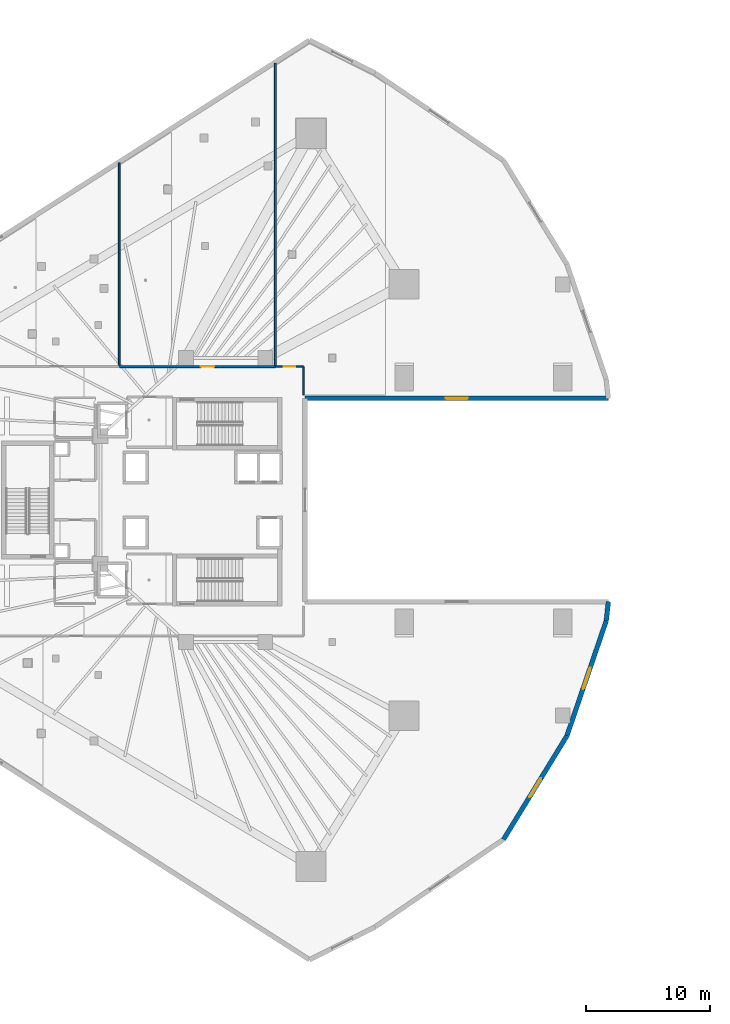
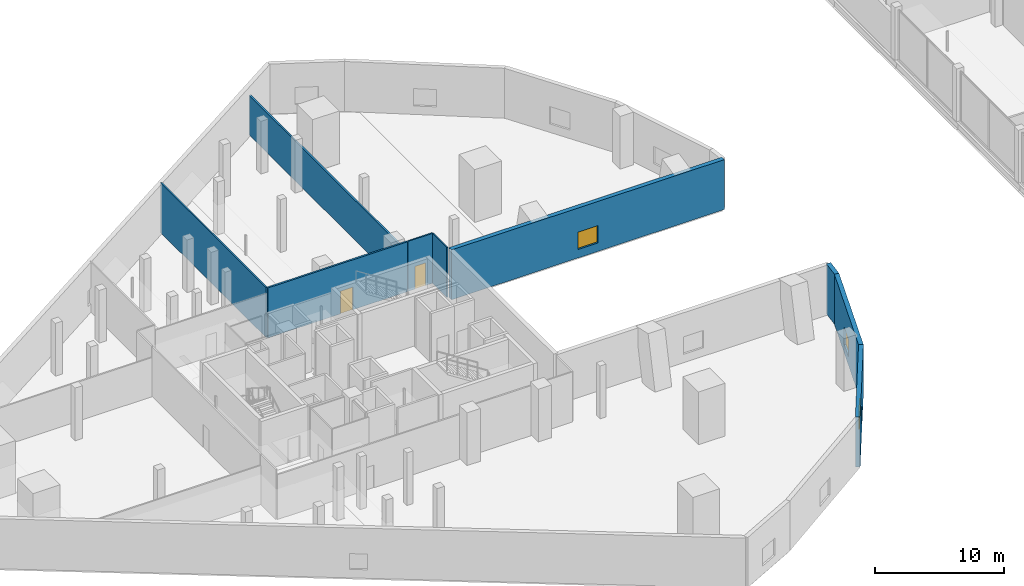
# One storey, part 29 of 46: 9 walls, 3 windows, 2 doors, 5 openings.
"""IFC4 building model written with IfcOpenShell, lengths in metres."""

from ifc_helpers import new_model, si_unit, direction, frame, frame_2d, origin, place, context, subcontext, project, spatial, rectangle, extrude, material, layer, layer_set, type_object, element, fill, save


model = new_model("IFC4")

# Units and contexts
model_context = context("Model", 3, precision=1e-05, world=origin(), true_north=direction((0.0, 1.0)))
body_context = subcontext(model_context, "Body", "Model", "MODEL_VIEW")
ifc_project = project(units=[si_unit("LENGTHUNIT", "METRE"), si_unit("AREAUNIT", "SQUARE_METRE"), si_unit("VOLUMEUNIT", "CUBIC_METRE"), si_unit("PLANEANGLEUNIT", "RADIAN"), si_unit("MASSUNIT", "GRAM", prefix="KILO")], contexts=[model_context])

# Site, building, storey
site_placement = place(None, origin())
site = spatial("IfcSite", under=ifc_project, at=site_placement, CompositionType="ELEMENT")
building_placement = place(site_placement, origin())
building = spatial("IfcBuilding", under=site, at=building_placement, Name="Qorvath Tower", CompositionType="ELEMENT")
storey_placement = place(building_placement, frame((0.0, 0.0, 17.0)))
storey = spatial("IfcBuildingStorey", under=building, at=storey_placement, Name="L03", CompositionType="ELEMENT", Elevation=17.0)

# Wall, opening, door
ifc_material_1 = material(Name="Double acoustic gypsum board on steel studs", Category="steel")
ifc_layer_1 = layer(ifc_material_1, 0.159912109375)
ifc_layer_set_1 = layer_set([ifc_layer_1], Name="IW-ACOUSTIC-160")
wall_type_1 = type_object("IfcWallType", Name="IW-ACOUSTIC-160", PredefinedType="PARTITIONING", material=ifc_layer_set_1)
wall_1_placement = place(storey_placement, frame((-28.948486328125, 10.758056640625, 0.0), z_axis=(0.0, 0.0, 1.0), x_axis=(1.0, 0.0, 0.0)))
wall_1 = element("IfcWall", 1, at=wall_1_placement, inside=storey, type_object=wall_type_1, Name="Interior Partition IW-T1-L03-025", PredefinedType="PARTITIONING", context=body_context, shape_type="SweptSolid", body=[
    extrude(rectangle(XDim=12.53515625, YDim=0.159912109375, at=frame_2d((6.267578125, 0.0))), origin(), (0.0, 0.0, 1.0), 4.739990234375),
])
opening_1_placement = place(wall_1_placement, frame((6.534423828125, 0.0, 0.0)))
opening_1 = element("IfcOpeningElement", 2, at=opening_1_placement, cuts=wall_1, Name="Opening D-T1-L03-07", PredefinedType="OPENING", context=body_context, shape_type="SweptSolid", body=[
    extrude(rectangle(XDim=1.10009765625, YDim=2.14990234375, at=frame_2d((0.550048828125, 1.074951171875))), frame((0.0, 0.08984375, 0.0), z_axis=(0.0, -1.0, 0.0), x_axis=(1.0, 0.0, 0.0)), (0.0, 0.0, 1.0), 0.179931640625),
])
ifc_material_2 = material(Name="Anodised aluminium acoustic framed glass", Category="aluminium")
door_type_1 = type_object("IfcDoorType", Name="D-03", OperationType="NOTDEFINED", PredefinedType="DOOR", material=ifc_material_2)
door_1_placement = place(opening_1_placement, origin())
door_1 = element("IfcDoor", 3, at=door_1_placement, inside=storey, type_object=door_type_1, Name="L03-03 Client Services Office Door D-T1-L03-07", OperationType="SINGLE_SWING_RIGHT", OverallHeight=2.14990234375, OverallWidth=1.10009765625, PredefinedType="DOOR", context=body_context, shape_type="SweptSolid", body=[
    extrude(rectangle(XDim=1.10009765625, YDim=2.14990234375, at=frame_2d((0.550048828125, 1.074951171875))), frame((0.0, 0.02490234375, 0.0), z_axis=(0.0, -1.0, 0.0), x_axis=(1.0, 0.0, 0.0)), (0.0, 0.0, 1.0), 0.050048828125),
])
fill(opening_1, door_1)

# Walls
wall_2_placement = place(storey_placement, frame((-16.388427734375, 10.783203125, 0.0), z_axis=(0.0, 0.0, 1.0), x_axis=(0.0, 1.0, 0.0)))
element("IfcWall", 4, at=wall_2_placement, inside=storey, type_object=wall_type_1, Name="Interior Partition IW-T1-L03-026", PredefinedType="PARTITIONING", context=body_context, shape_type="SweptSolid", body=[
    extrude(rectangle(XDim=24.471435546875, YDim=0.159912109375, at=frame_2d((12.23583984375, 0.0))), origin(), (0.0, 0.0, 1.0), 3.77685546875),
])
ifc_material_3 = material(Name="Gypsum board on metal studs with mineral wool", Category="gypsum")
ifc_layer_2 = layer(ifc_material_3, 0.125)
ifc_layer_set_2 = layer_set([ifc_layer_2], Name="IW-PART-125")
wall_type_2 = type_object("IfcWallType", Name="IW-PART-125", PredefinedType="PARTITIONING", material=ifc_layer_set_2)
wall_3_placement = place(storey_placement, frame((-28.9814453125, 10.783203125, 0.0), z_axis=(0.0, 0.0, 1.0), x_axis=(0.0, 1.0, 0.0)))
element("IfcWall", 5, at=wall_3_placement, inside=storey, type_object=wall_type_2, Name="Interior Partition IW-T1-L03-024", PredefinedType="PARTITIONING", context=body_context, shape_type="SweptSolid", body=[
    extrude(rectangle(XDim=16.4228515625, YDim=0.125, at=frame_2d((8.21142578125, 0.0))), origin(), (0.0, 0.0, 1.0), 4.739990234375),
])

# Wall, opening, door
wall_4_placement = place(storey_placement, frame((-16.35546875, 10.758056640625, 0.0), z_axis=(0.0, 0.0, 1.0), x_axis=(1.0, 0.0, 0.0)))
wall_4 = element("IfcWall", 6, at=wall_4_placement, inside=storey, type_object=wall_type_2, Name="Interior Partition IW-T1-L03-027", PredefinedType="PARTITIONING", context=body_context, shape_type="SweptSolid", body=[
    extrude(rectangle(XDim=2.21826171875, YDim=0.125, at=frame_2d((1.109130859375, 0.0))), origin(), (0.0, 0.0, 1.0), 4.739990234375),
])
opening_2_placement = place(wall_4_placement, frame((0.634033203125, 0.0, 0.0)))
opening_2 = element("IfcOpeningElement", 7, at=opening_2_placement, cuts=wall_4, Name="Opening D-T1-L03-08", PredefinedType="OPENING", context=body_context, shape_type="SweptSolid", body=[
    extrude(rectangle(XDim=0.949951171875, YDim=2.14990234375, at=frame_2d((0.47509765625, 1.074951171875))), frame((0.0, 0.072509765625, 0.0), z_axis=(0.0, -1.0, 0.0), x_axis=(1.0, 0.0, 0.0)), (0.0, 0.0, 1.0), 0.14501953125),
])
ifc_material_4 = material(Name="Solid-core American white oak veneer", Category="wood")
door_type_2 = type_object("IfcDoorType", Name="D-01", OperationType="NOTDEFINED", PredefinedType="DOOR", material=ifc_material_4)
door_2_placement = place(opening_2_placement, origin())
door_2 = element("IfcDoor", 8, at=door_2_placement, inside=storey, type_object=door_type_2, Name="L03-04 Project Collaboration Workspace Door D-T1-L03-08", OperationType="SINGLE_SWING_LEFT", OverallHeight=2.14990234375, OverallWidth=0.949951171875, PredefinedType="DOOR", context=body_context, shape_type="SweptSolid", body=[
    extrude(rectangle(XDim=0.949951171875, YDim=2.14990234375, at=frame_2d((0.47509765625, 1.074951171875))), frame((0.0, 0.02490234375, 0.0), z_axis=(0.0, -1.0, 0.0), x_axis=(1.0, 0.0, 0.0)), (0.0, 0.0, 1.0), 0.050048828125),
])
fill(opening_2, door_2)

# Wall
wall_5_placement = place(storey_placement, frame((-14.112060546875, 10.733154296875, 0.0), z_axis=(0.0, 0.0, 1.0), x_axis=(0.0, -1.0, 0.0)))
element("IfcWall", 9, at=wall_5_placement, inside=storey, type_object=wall_type_2, Name="Interior Partition IW-T1-L03-028", PredefinedType="PARTITIONING", context=body_context, shape_type="SweptSolid", body=[
    extrude(rectangle(XDim=2.259033203125, YDim=0.125, at=frame_2d((1.12939453125, 0.0))), origin(), (0.0, 0.0, 1.0), 4.739990234375),
])

# Wall, opening, window
ifc_material_5 = material(Name="Precast concrete C50/60", Category="concrete")
ifc_layer_3 = layer(ifc_material_5, 0.3798828125)
ifc_layer_set_3 = layer_set([ifc_layer_3], Name="WL-EW-POD-380")
wall_type_3 = type_object("IfcWallType", Name="WL-EW-POD-380", PredefinedType="SOLIDWALL", material=ifc_layer_set_3)
wall_6_placement = place(storey_placement, frame((-14.0, 8.199951171875, 0.0), z_axis=(0.0, 0.0, 1.0), x_axis=(1.0, 0.0, 0.0)))
wall_6 = element("IfcWall", 10, at=wall_6_placement, inside=storey, type_object=wall_type_3, Name="Tower Podium Precast Facade Wall L03-3.1", PredefinedType="SOLIDWALL", context=body_context, shape_type="SweptSolid", body=[
    extrude(rectangle(XDim=24.483154296875, YDim=0.3798828125, at=frame_2d((12.24169921875, 0.0))), origin(), (0.0, 0.0, 1.0), 4.739990234375),
])
opening_3_placement = place(wall_6_placement, frame((11.341552734375, 0.0, 0.800048828125)))
opening_3 = element("IfcOpeningElement", 11, at=opening_3_placement, cuts=wall_6, Name="Opening WN-L03-031", PredefinedType="OPENING", context=body_context, shape_type="SweptSolid", body=[
    extrude(rectangle(XDim=1.800048828125, YDim=1.64990234375, at=frame_2d((0.89990234375, 0.824951171875))), frame((0.0, 0.199951171875, 0.0), z_axis=(0.0, -1.0, 0.0), x_axis=(1.0, 0.0, 0.0)), (0.0, 0.0, 1.0), 0.39990234375),
])
ifc_material_6 = material(Name="Thermally broken aluminium and triple low-E glass", Category="aluminium")
window_type = type_object("IfcWindowType", Name="WN-1", PartitioningType="SINGLE_PANEL", PredefinedType="WINDOW", material=ifc_material_6)
window_1_placement = place(opening_3_placement, origin())
window_1 = element("IfcWindow", 12, at=window_1_placement, inside=storey, type_object=window_type, Name="Podium Punched Window L03-031", OverallHeight=1.64990234375, OverallWidth=1.800048828125, PartitioningType="SINGLE_PANEL", PredefinedType="WINDOW", context=body_context, shape_type="SweptSolid", body=[
    extrude(rectangle(XDim=1.800048828125, YDim=1.64990234375, at=frame_2d((0.89990234375, 0.824951171875))), frame((0.0, 0.030029296875, 0.0), z_axis=(0.0, -1.0, 0.0), x_axis=(1.0, 0.0, 0.0)), (0.0, 0.0, 1.0), 0.06005859375),
])
fill(opening_3, window_1)

wall_7_placement = place(storey_placement, frame((7.139404296875, -19.029052734375, 0.0), z_axis=(0.0, 0.0, 1.0), x_axis=(-0.521922160909, -0.852993117178, 0.0)))
wall_7 = element("IfcWall", 13, at=wall_7_placement, inside=storey, type_object=wall_type_3, Name="Tower Podium Precast Facade Wall L03-14.1", PredefinedType="SOLIDWALL", context=body_context, shape_type="SweptSolid", body=[
    extrude(rectangle(XDim=9.807861328125, YDim=0.3798828125, at=frame_2d((4.90380859375, 0.0))), origin(), (0.0, 0.0, 1.0), 4.739990234375),
])
opening_4_placement = place(wall_7_placement, frame((4.00390625, 0.0, 0.800048828125)))
opening_4 = element("IfcOpeningElement", 14, at=opening_4_placement, cuts=wall_7, Name="Opening WN-L03-041", PredefinedType="OPENING", context=body_context, shape_type="SweptSolid", body=[
    extrude(rectangle(XDim=1.800048828125, YDim=1.64990234375, at=frame_2d((0.89990234375, 0.824951171875))), frame((0.0, 0.199951171875, 0.0), z_axis=(0.0, -1.0, 0.0), x_axis=(1.0, 0.0, 0.0)), (0.0, 0.0, 1.0), 0.39990234375),
])
window_2_placement = place(opening_4_placement, origin())
window_2 = element("IfcWindow", 15, at=window_2_placement, inside=storey, type_object=window_type, Name="Podium Punched Window L03-041", OverallHeight=1.64990234375, OverallWidth=1.800048828125, PartitioningType="SINGLE_PANEL", PredefinedType="WINDOW", context=body_context, shape_type="SweptSolid", body=[
    extrude(rectangle(XDim=1.800048828125, YDim=1.64990234375, at=frame_2d((0.89990234375, 0.824951171875))), frame((0.0, 0.030029296875, 0.0), z_axis=(0.0, -1.0, 0.0), x_axis=(1.0, 0.0, 0.0)), (0.0, 0.0, 1.0), 0.06005859375),
])
fill(opening_4, window_2)

wall_8_placement = place(storey_placement, frame((10.3125, -9.748779296875, 0.0), z_axis=(0.0, 0.0, 1.0), x_axis=(-0.323529337119, -0.946218139767, 0.0)))
wall_8 = element("IfcWall", 16, at=wall_8_placement, inside=storey, type_object=wall_type_3, Name="Tower Podium Precast Facade Wall L03-15.1", PredefinedType="SOLIDWALL", context=body_context, shape_type="SweptSolid", body=[
    extrude(rectangle(XDim=9.807861328125, YDim=0.3798828125, at=frame_2d((4.90380859375, 0.0))), origin(), (0.0, 0.0, 1.0), 4.739990234375),
])
opening_5_placement = place(wall_8_placement, frame((4.00390625, 0.0, 0.800048828125)))
opening_5 = element("IfcOpeningElement", 17, at=opening_5_placement, cuts=wall_8, Name="Opening WN-L03-042", PredefinedType="OPENING", context=body_context, shape_type="SweptSolid", body=[
    extrude(rectangle(XDim=1.800048828125, YDim=1.64990234375, at=frame_2d((0.89990234375, 0.824951171875))), frame((0.0, 0.199951171875, 0.0), z_axis=(0.0, -1.0, 0.0), x_axis=(1.0, 0.0, 0.0)), (0.0, 0.0, 1.0), 0.39990234375),
])
window_3_placement = place(opening_5_placement, origin())
window_3 = element("IfcWindow", 18, at=window_3_placement, inside=storey, type_object=window_type, Name="Podium Punched Window L03-042", OverallHeight=1.64990234375, OverallWidth=1.800048828125, PartitioningType="SINGLE_PANEL", PredefinedType="WINDOW", context=body_context, shape_type="SweptSolid", body=[
    extrude(rectangle(XDim=1.800048828125, YDim=1.64990234375, at=frame_2d((0.89990234375, 0.824951171875))), frame((0.0, 0.030029296875, 0.0), z_axis=(0.0, -1.0, 0.0), x_axis=(1.0, 0.0, 0.0)), (0.0, 0.0, 1.0), 0.06005859375),
])
fill(opening_5, window_3)

# Wall
wall_9_placement = place(storey_placement, frame((10.483154296875, -8.199951171875, 0.0), z_axis=(0.0, 0.0, 1.0), x_axis=(-0.109520054504, -0.993984586229, 0.0)))
element("IfcWall", 19, at=wall_9_placement, inside=storey, type_object=wall_type_3, Name="Tower Podium Precast Facade Wall L03-16.1", PredefinedType="SOLIDWALL", context=body_context, shape_type="SweptSolid", body=[
    extrude(rectangle(XDim=1.55810546875, YDim=0.3798828125, at=frame_2d((0.779052734375, 0.0))), origin(), (0.0, 0.0, 1.0), 4.739990234375),
])

save(model, "model.ifc")
